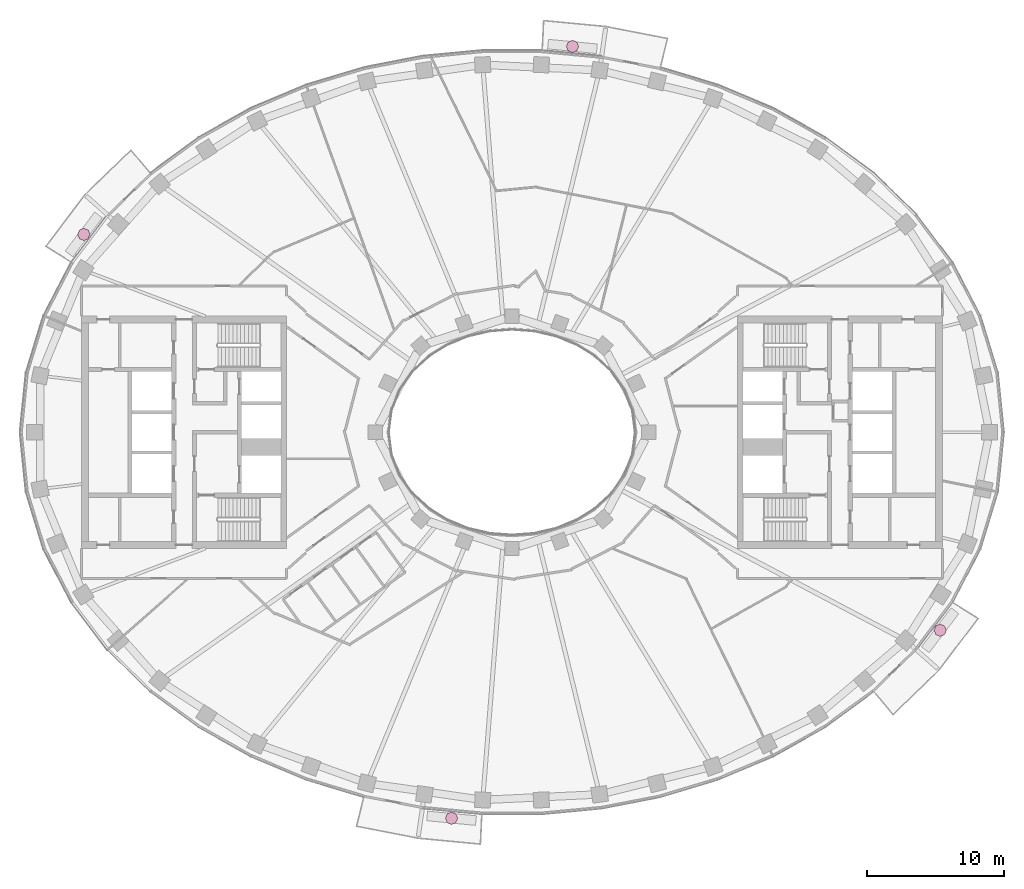
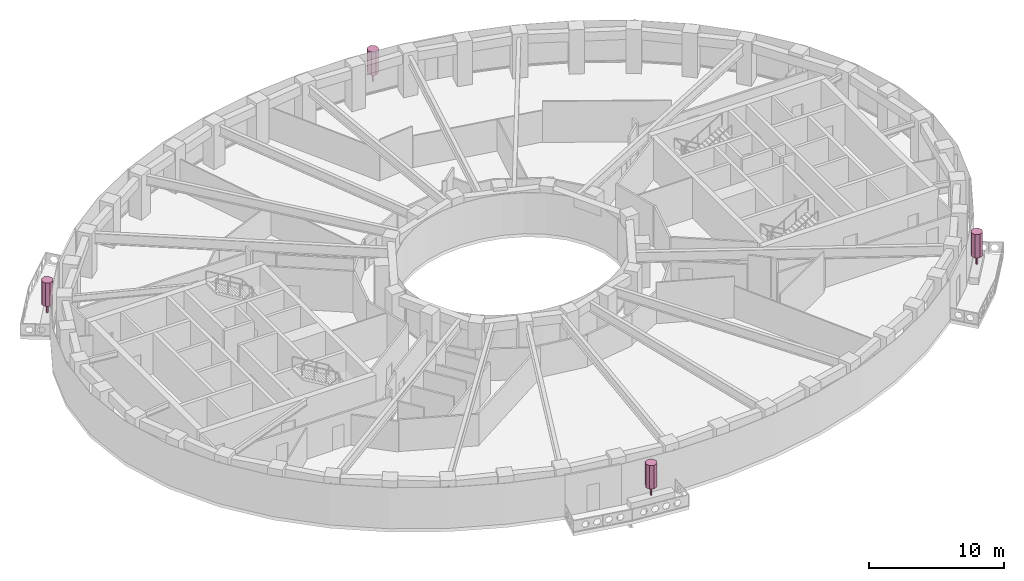
# One storey, part 16 of 16: 4 furnishings.
"""IFC4 building model written with IfcOpenShell, lengths in metres."""

from ifc_helpers import new_model, si_unit, direction, frame, origin, origin_2d, place, context, subcontext, project, spatial, polyline, rectangle, outline, extrude, material, type_object, element, save


model = new_model("IFC4")

# Units and contexts
model_context = context("Model", 3, precision=1e-05, world=origin(), true_north=direction((0.0, 1.0)))
body_context = subcontext(model_context, "Body", "Model", "MODEL_VIEW")
ifc_project = project(units=[si_unit("LENGTHUNIT", "METRE"), si_unit("AREAUNIT", "SQUARE_METRE"), si_unit("VOLUMEUNIT", "CUBIC_METRE"), si_unit("PLANEANGLEUNIT", "RADIAN"), si_unit("MASSUNIT", "GRAM", prefix="KILO")], contexts=[model_context])

# Site, building, storey
site_placement = place(None, origin())
site = spatial("IfcSite", under=ifc_project, at=site_placement, CompositionType="ELEMENT")
building_placement = place(site_placement, origin())
building = spatial("IfcBuilding", under=site, at=building_placement, Name="Noorbagh Ring Tower", CompositionType="ELEMENT")
storey_placement = place(building_placement, frame((0.0, 0.0, 178.0)))
storey = spatial("IfcBuildingStorey", under=building, at=storey_placement, Name="L41", CompositionType="ELEMENT", Elevation=178.0)

# Furnishings
ifc_material = material(Name="Planting foliage green")
furnishing_element_type = type_object("IfcFurnishingElementType", Name="ENV-TREE", material=ifc_material)
for number, where, z_axis, x_axis, name in (
    (1, (4.423828125, 28.2373046875, 0.60009765625), (0.0, 0.0, 1.0), (1.0, 0.0, 0.0), "Tree BN03"),
    (2, (-31.329833984375, 14.4833984375, 0.60009765625), (0.0, 0.0, 1.0), (1.0, 0.0, 0.0), "Tree BN06"),
    (3, (-4.423828125, -28.2373046875, 0.60009765625), (0.0, 0.0, 1.0), (1.0, 0.0, 0.0), "Tree BS03"),
    (4, (31.329833984375, -14.4833984375, 0.60009765625), (0.0, 0.0, 1.0), (1.0, 0.0, 0.0), "Tree BS06"),
):
    element("IfcFurnishingElement", number, at=place(storey_placement, frame(where, z_axis=z_axis, x_axis=x_axis)), inside=storey, type_object=furnishing_element_type, Name=name, context=body_context, shape_type="SweptSolid", body=[
        extrude(rectangle(XDim=0.1201171875, YDim=0.1201171875, at=origin_2d()), origin(), (0.0, 0.0, 1.0), 0.825927734375),
        extrude(outline(polyline([(0.449951171875, 0.0), (0.318115234375, 0.318115234375), (0.0, 0.449951171875), (-0.318115234375, 0.318115234375), (-0.449951171875, 0.0), (-0.318115234375, -0.318115234375), (0.0, -0.449951171875), (0.318115234375, -0.318115234375), (0.449951171875, 0.0)])), frame((0.0, 0.0, 0.825927734375)), (0.0, 0.0, 1.0), 2.1240234375),
    ])

save(model, "model.ifc")
